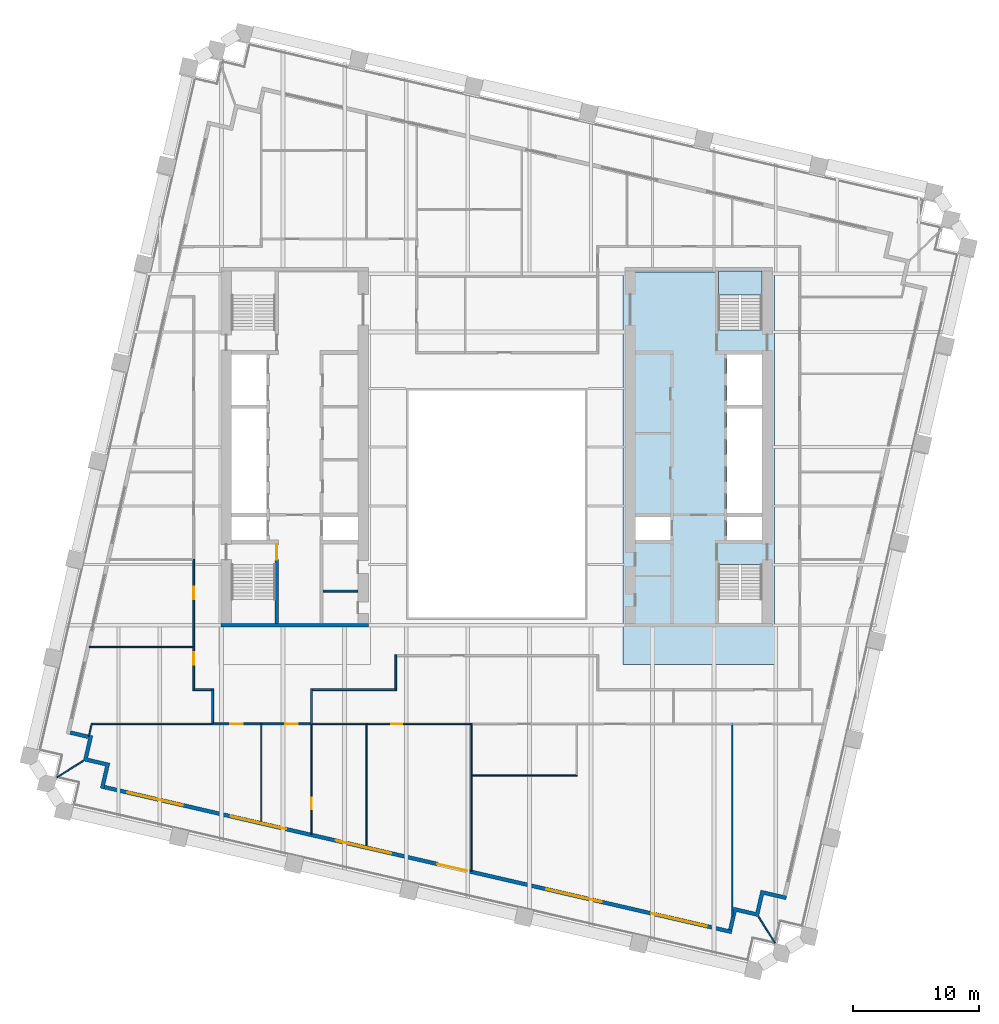
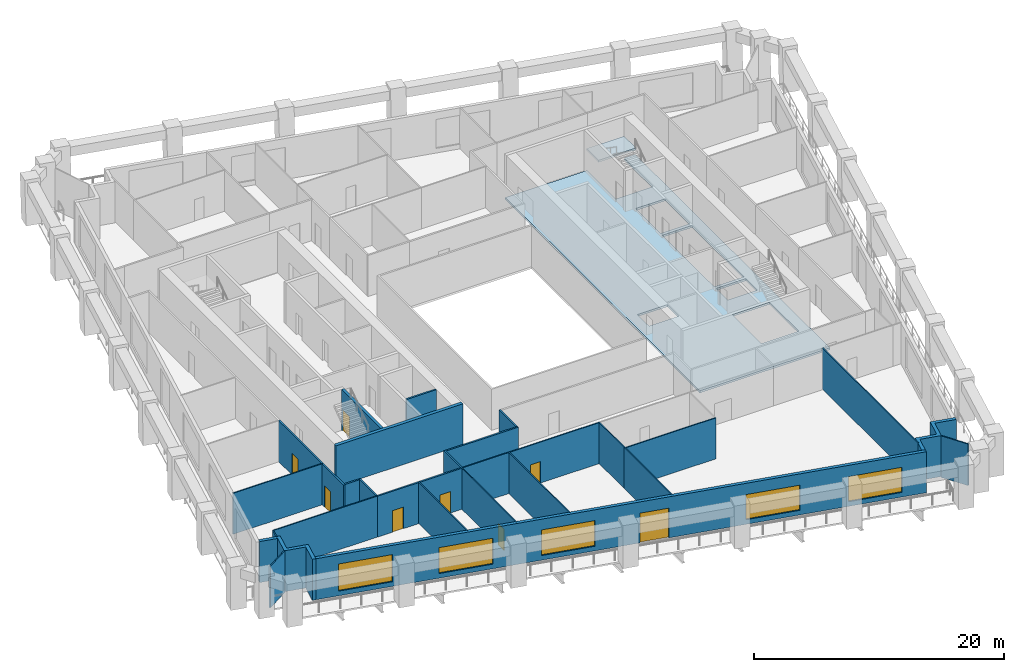
# One storey, part 3 of 10: 29 walls, 8 doors, 5 windows, 2 slabs, 13 openings, 1 element without a shape of its own.
"""IFC4 building model written with IfcOpenShell, lengths in metres."""

from ifc_helpers import new_model, si_unit, direction, frame, frame_2d, origin, place, context, subcontext, project, spatial, polyline, rectangle, outline, extrude, material, layer, layer_set, type_object, element, fill, aggregate, save


model = new_model("IFC4")

# Units and contexts
model_context = context("Model", 3, precision=1e-05, world=origin(), true_north=direction((0.0, 1.0)))
body_context = subcontext(model_context, "Body", "Model", "MODEL_VIEW")
ifc_project = project(units=[si_unit("LENGTHUNIT", "METRE"), si_unit("AREAUNIT", "SQUARE_METRE"), si_unit("VOLUMEUNIT", "CUBIC_METRE"), si_unit("PLANEANGLEUNIT", "RADIAN"), si_unit("MASSUNIT", "GRAM", prefix="KILO")], contexts=[model_context])

# Site, building, storey
site_placement = place(None, origin())
site = spatial("IfcSite", under=ifc_project, at=site_placement, CompositionType="ELEMENT")
building_placement = place(site_placement, origin())
building = spatial("IfcBuilding", under=site, at=building_placement, Name="Ogive Exchange Tower", CompositionType="ELEMENT")
storey_placement = place(building_placement, frame((0.0, 0.0, 114.0)))
storey = spatial("IfcBuildingStorey", under=building, at=storey_placement, Name="L24", CompositionType="ELEMENT", Elevation=114.0)

# Slab
ifc_material_1 = material(Name="Concrete C70/85", Category="concrete")
ifc_layer_1 = layer(ifc_material_1, 0.199951171875)
ifc_layer_set_1 = layer_set([ifc_layer_1], Name="Core floor slab 200")
slab_type_1 = type_object("IfcSlabType", Name="Core floor slab 200", PredefinedType="FLOOR", material=ifc_layer_set_1)
slab_1_placement = place(storey_placement, frame((0.0, 0.0, -0.199951171875)))
element("IfcSlab", 1, at=slab_1_placement, inside=storey, type_object=slab_type_1, Name="Core floor slab", PredefinedType="FLOOR", context=body_context, shape_type="SweptSolid", body=[
    extrude(outline(polyline([(22.0, 25.39990234375), (22.0, -5.699951171875), (10.0, -5.699951171875), (10.0, 25.39990234375), (17.550048828125, 25.39990234375), (17.550048828125, 20.803955078125), (21.0, 20.803955078125), (21.0, 25.39990234375), (22.0, 25.39990234375)]), holes=[polyline([(21.0, 2.196044921875), (17.550048828125, 2.196044921875), (17.550048828125, -2.449951171875), (21.0, -2.449951171875), (21.0, 2.196044921875)]), polyline([(13.75, 5.992919921875), (11.0, 5.992919921875), (11.0, 4.14990234375), (13.75, 4.14990234375), (13.75, 5.992919921875)]), polyline([(21.0, 5.992919921875), (18.25, 5.992919921875), (18.25, 4.14990234375), (21.0, 4.14990234375), (21.0, 5.992919921875)]), polyline([(18.25, 14.564208984375), (18.25, 6.29296875), (21.0, 6.29296875), (21.0, 14.564208984375), (18.25, 14.564208984375)]), polyline([(21.0, 18.85009765625), (18.25, 18.85009765625), (18.25, 14.8642578125), (21.0, 14.8642578125), (21.0, 18.85009765625)])]), origin(), (0.0, 0.0, 1.0), 0.199951171875),
])

# Stair, slab
ifc_material_2 = material(Name="Concrete C40/50", Category="concrete")
stair_type = type_object("IfcStairType", Name="Exit stair 1650 wide", PredefinedType="HALF_TURN_STAIR", material=ifc_material_2)
stair_placement = place(storey_placement, origin())
stair = element("IfcStair", 2, at=stair_placement, inside=storey, type_object=stair_type, Name="L24 exit stair ST4", PredefinedType="HALF_TURN_STAIR")
ifc_layer_2 = layer(ifc_material_2, 0.199951171875)
ifc_layer_set_2 = layer_set([ifc_layer_2], Name="Stair landing 200 slab")
slab_type_2 = type_object("IfcSlabType", Name="Stair landing 200 slab", PredefinedType="LANDING", material=ifc_layer_set_2)
slab_2_placement = place(storey_placement, frame((0.0, 0.0, 1.89990234375)))
slab_2 = element("IfcSlab", 3, at=slab_2_placement, type_object=slab_type_2, Name="ST4 landing 1", PredefinedType="LANDING", context=body_context, shape_type="SweptSolid", body=[
    extrude(outline(polyline([(21.0, 23.550048828125), (21.0, 25.449951171875), (17.550048828125, 25.449951171875), (17.550048828125, 23.550048828125), (21.0, 23.550048828125)])), origin(), (0.0, 0.0, 1.0), 0.2001953125),
])
aggregate(stair, [slab_2])

# Wall
ifc_material_3 = material(Name="Gypsum board partition")
ifc_layer_3 = layer(ifc_material_3, 0.14990234375)
ifc_layer_set_3 = layer_set([ifc_layer_3], Name="Core room partition 150 gypsum")
wall_type_1 = type_object("IfcWallType", Name="Core room partition 150 gypsum", PredefinedType="PARTITIONING", material=ifc_layer_set_3)
wall_1_placement = place(storey_placement, frame((-13.75, 0.10009765625, 0.0), z_axis=(0.0, 0.0, 1.0), x_axis=(1.0, 0.0, 0.0)))
element("IfcWall", 4, at=wall_1_placement, inside=storey, type_object=wall_type_1, Name="W south room partition", PredefinedType="PARTITIONING", context=body_context, shape_type="SweptSolid", body=[
    extrude(rectangle(XDim=2.75, YDim=0.14990234375, at=frame_2d((1.375, 0.0))), origin(), (0.0, 0.0, 1.0), 4.0),
])

# Wall, opening, door
ifc_material_4 = material(Name="Fire partition EI 60 150")
ifc_layer_4 = layer(ifc_material_4, 0.14990234375)
ifc_layer_set_4 = layer_set([ifc_layer_4], Name="Fire partition EI 60 150")
wall_type_2 = type_object("IfcWallType", Name="Fire partition EI 60 150", PredefinedType="PARTITIONING", material=ifc_layer_set_4)
wall_2_placement = place(storey_placement, frame((-24.0, -7.77490234375, 0.0), z_axis=(0.0, 0.0, 1.0), x_axis=(0.0, 1.0, 0.0)))
wall_2 = element("IfcWall", 5, at=wall_2_placement, inside=storey, type_object=wall_type_2, Name="L24-PWL-003", PredefinedType="PARTITIONING", context=body_context, shape_type="SweptSolid", body=[
    extrude(rectangle(XDim=3.454833984375, YDim=0.14990234375, at=frame_2d((1.7275390625, 0.0))), origin(), (0.0, 0.0, 1.0), 4.0),
])
opening_1_placement = place(wall_2_placement, frame((2.054931640625, 0.0, 0.0)))
opening_1 = element("IfcOpeningElement", 6, at=opening_1_placement, cuts=wall_2, Name="Opening L24-I21", PredefinedType="OPENING", context=body_context, shape_type="SweptSolid", body=[
    extrude(rectangle(XDim=1.0, YDim=2.10009765625, at=frame_2d((0.5, 1.050048828125))), frame((0.0, 0.0849609375, 0.0), z_axis=(0.0, -1.0, 0.0), x_axis=(1.0, 0.0, 0.0)), (0.0, 0.0, 1.0), 0.169921875),
])
ifc_material_5 = material(Name="Fire door FD 30S 1000 x 2100")
door_type_1 = type_object("IfcDoorType", Name="Fire door FD 30S 1000 x 2100", OperationType="NOTDEFINED", PredefinedType="DOOR", material=ifc_material_5)
door_1_placement = place(opening_1_placement, origin())
door_1 = element("IfcDoor", 7, at=door_1_placement, inside=storey, type_object=door_type_1, Name="L24-IDR-021", ObjectType="DT3", OperationType="SINGLE_SWING_LEFT", OverallHeight=2.10009765625, OverallWidth=1.0, PredefinedType="DOOR", context=body_context, shape_type="SweptSolid", body=[
    extrude(rectangle(XDim=1.0, YDim=2.10009765625, at=frame_2d((0.5, 1.050048828125))), frame((0.0, 0.02490234375, 0.0), z_axis=(0.0, -1.0, 0.0), x_axis=(1.0, 0.0, 0.0)), (0.0, 0.0, 1.0), 0.050048828125),
])
fill(opening_1, door_1)

wall_3_placement = place(storey_placement, frame((-24.0, -4.320068359375, 0.0), z_axis=(0.0, 0.0, 1.0), x_axis=(0.0, 1.0, 0.0)))
wall_3 = element("IfcWall", 8, at=wall_3_placement, inside=storey, type_object=wall_type_2, Name="L24-PWL-005", PredefinedType="PARTITIONING", context=body_context, shape_type="SweptSolid", body=[
    extrude(rectangle(XDim=6.93017578125, YDim=0.14990234375, at=frame_2d((3.465087890625, 0.0))), origin(), (0.0, 0.0, 1.0), 4.0),
])
opening_2_placement = place(wall_3_placement, frame((3.780029296875, 0.0, 0.0)))
opening_2 = element("IfcOpeningElement", 9, at=opening_2_placement, cuts=wall_3, Name="Opening L24-I20", PredefinedType="OPENING", context=body_context, shape_type="SweptSolid", body=[
    extrude(rectangle(XDim=1.0, YDim=2.10009765625, at=frame_2d((0.5, 1.050048828125))), frame((0.0, 0.0849609375, 0.0), z_axis=(0.0, -1.0, 0.0), x_axis=(1.0, 0.0, 0.0)), (0.0, 0.0, 1.0), 0.169921875),
])
door_2_placement = place(opening_2_placement, origin())
door_2 = element("IfcDoor", 10, at=door_2_placement, inside=storey, type_object=door_type_1, Name="L24-IDR-020", ObjectType="DT3", OperationType="SINGLE_SWING_LEFT", OverallHeight=2.10009765625, OverallWidth=1.0, PredefinedType="DOOR", context=body_context, shape_type="SweptSolid", body=[
    extrude(rectangle(XDim=1.0, YDim=2.10009765625, at=frame_2d((0.5, 1.050048828125))), frame((0.0, 0.02490234375, 0.0), z_axis=(0.0, -1.0, 0.0), x_axis=(1.0, 0.0, 0.0)), (0.0, 0.0, 1.0), 0.050048828125),
])
fill(opening_2, door_2)

# Walls
wall_4_placement = place(storey_placement, frame((-22.5, -10.360107421875, 0.0), z_axis=(0.0, 0.0, 1.0), x_axis=(0.0, 1.0, 0.0)))
element("IfcWall", 11, at=wall_4_placement, inside=storey, type_object=wall_type_2, Name="L24-PWL-013", PredefinedType="PARTITIONING", context=body_context, shape_type="SweptSolid", body=[
    extrude(rectangle(XDim=2.735107421875, YDim=0.14990234375, at=frame_2d((1.36767578125, 0.0))), origin(), (0.0, 0.0, 1.0), 4.0),
])
wall_5_placement = place(storey_placement, frame((-22.574951171875, -7.699951171875, 0.0), z_axis=(0.0, 0.0, 1.0), x_axis=(-1.0, 0.0, 0.0)))
element("IfcWall", 12, at=wall_5_placement, inside=storey, type_object=wall_type_2, Name="L24-PWL-014", PredefinedType="PARTITIONING", context=body_context, shape_type="SweptSolid", body=[
    extrude(rectangle(XDim=1.35009765625, YDim=0.14990234375, at=frame_2d((0.675048828125, 0.0))), origin(), (0.0, 0.0, 1.0), 4.0),
])

# Wall, opening, door
wall_6_placement = place(storey_placement, frame((-18.699951171875, -10.409912109375, 0.0), z_axis=(0.0, 0.0, 1.0), x_axis=(-1.0, 0.0, 0.0)))
wall_6 = element("IfcWall", 13, at=wall_6_placement, inside=storey, type_object=wall_type_2, Name="L24-PWL-016", PredefinedType="PARTITIONING", context=body_context, shape_type="SweptSolid", body=[
    extrude(rectangle(XDim=3.800048828125, YDim=0.14990234375, at=frame_2d((1.89990234375, 0.0))), origin(), (0.0, 0.0, 1.0), 4.0),
])
opening_3_placement = place(wall_6_placement, frame((1.39990234375, 0.0, 0.0)))
opening_3 = element("IfcOpeningElement", 14, at=opening_3_placement, cuts=wall_6, Name="Opening L24-I28", PredefinedType="OPENING", context=body_context, shape_type="SweptSolid", body=[
    extrude(rectangle(XDim=1.0, YDim=2.10009765625, at=frame_2d((0.5, 1.050048828125))), frame((0.0, 0.0849609375, 0.0), z_axis=(0.0, -1.0, 0.0), x_axis=(1.0, 0.0, 0.0)), (0.0, 0.0, 1.0), 0.169921875),
])
door_3_placement = place(opening_3_placement, origin())
door_3 = element("IfcDoor", 15, at=door_3_placement, inside=storey, type_object=door_type_1, Name="L24-IDR-028", ObjectType="DT3", OperationType="SINGLE_SWING_RIGHT", OverallHeight=2.10009765625, OverallWidth=1.0, PredefinedType="DOOR", context=body_context, shape_type="SweptSolid", body=[
    extrude(rectangle(XDim=1.0, YDim=2.10009765625, at=frame_2d((0.5, 1.050048828125))), frame((0.0, 0.02490234375, 0.0), z_axis=(0.0, -1.0, 0.0), x_axis=(1.0, 0.0, 0.0)), (0.0, 0.0, 1.0), 0.050048828125),
])
fill(opening_3, door_3)

wall_7_placement = place(storey_placement, frame((-14.719970703125, -10.409912109375, 0.0), z_axis=(0.0, 0.0, 1.0), x_axis=(-1.0, 0.0, 0.0)))
wall_7 = element("IfcWall", 16, at=wall_7_placement, inside=storey, type_object=wall_type_2, Name="L24-PWL-023", PredefinedType="PARTITIONING", context=body_context, shape_type="SweptSolid", body=[
    extrude(rectangle(XDim=3.880126953125, YDim=0.14990234375, at=frame_2d((1.93994140625, 0.0))), origin(), (0.0, 0.0, 1.0), 4.0),
])
opening_4_placement = place(wall_7_placement, frame((1.030029296875, 0.0, 0.0)))
opening_4 = element("IfcOpeningElement", 17, at=opening_4_placement, cuts=wall_7, Name="Opening L24-I27", PredefinedType="OPENING", context=body_context, shape_type="SweptSolid", body=[
    extrude(rectangle(XDim=1.0, YDim=2.10009765625, at=frame_2d((0.5, 1.050048828125))), frame((0.0, 0.0849609375, 0.0), z_axis=(0.0, -1.0, 0.0), x_axis=(1.0, 0.0, 0.0)), (0.0, 0.0, 1.0), 0.169921875),
])
door_4_placement = place(opening_4_placement, origin())
door_4 = element("IfcDoor", 18, at=door_4_placement, inside=storey, type_object=door_type_1, Name="L24-IDR-027", ObjectType="DT3", OperationType="SINGLE_SWING_RIGHT", OverallHeight=2.10009765625, OverallWidth=1.0, PredefinedType="DOOR", context=body_context, shape_type="SweptSolid", body=[
    extrude(rectangle(XDim=1.0, YDim=2.10009765625, at=frame_2d((0.5, 1.050048828125))), frame((0.0, 0.02490234375, 0.0), z_axis=(0.0, -1.0, 0.0), x_axis=(1.0, 0.0, 0.0)), (0.0, 0.0, 1.0), 0.050048828125),
])
fill(opening_4, door_4)

# Walls
wall_8_placement = place(storey_placement, frame((-14.669921875, -7.625, 0.0), z_axis=(0.0, 0.0, 1.0), x_axis=(0.0, -1.0, 0.0)))
element("IfcWall", 19, at=wall_8_placement, inside=storey, type_object=wall_type_2, Name="L24-PWL-024", PredefinedType="PARTITIONING", context=body_context, shape_type="SweptSolid", body=[
    extrude(rectangle(XDim=2.8349609375, YDim=0.14990234375, at=frame_2d((1.41748046875, 0.0))), origin(), (0.0, 0.0, 1.0), 4.0),
])
wall_9_placement = place(storey_placement, frame((-7.925048828125, -7.699951171875, 0.0), z_axis=(0.0, 0.0, 1.0), x_axis=(-1.0, 0.0, 0.0)))
element("IfcWall", 20, at=wall_9_placement, inside=storey, type_object=wall_type_2, Name="L24-PWL-030", PredefinedType="PARTITIONING", context=body_context, shape_type="SweptSolid", body=[
    extrude(rectangle(XDim=6.669921875, YDim=0.14990234375, at=frame_2d((3.3349609375, 0.0))), origin(), (0.0, 0.0, 1.0), 4.0),
])
wall_10_placement = place(storey_placement, frame((-8.0, -4.925048828125, 0.0), z_axis=(0.0, 0.0, 1.0), x_axis=(0.0, -1.0, 0.0)))
element("IfcWall", 21, at=wall_10_placement, inside=storey, type_object=wall_type_2, Name="L24-PWL-031", PredefinedType="PARTITIONING", context=body_context, shape_type="SweptSolid", body=[
    extrude(rectangle(XDim=2.699951171875, YDim=0.14990234375, at=frame_2d((1.35009765625, 0.0))), origin(), (0.0, 0.0, 1.0), 4.0),
])

# Wall, openings, door, windows
ifc_material_6 = material(Name="Precast concrete C40/50", Category="concrete")
ifc_layer_5 = layer(ifc_material_6, 0.300048828125)
ifc_layer_set_5 = layer_set([ifc_layer_5], Name="Limestone-faced wall 300")
wall_type_3 = type_object("IfcWallType", Name="Limestone-faced wall 300", PredefinedType="STANDARD", material=ifc_layer_set_5)
wall_11_placement = place(storey_placement, frame((-31.07763671875, -15.4208984375, 0.0), z_axis=(0.0, 0.0, 1.0), x_axis=(0.974370456532, -0.224949357493, 0.0)))
wall_11 = element("IfcWall", 22, at=wall_11_placement, inside=storey, type_object=wall_type_3, Name="External wall S1", PredefinedType="STANDARD", context=body_context, shape_type="SweptSolid", body=[
    extrude(rectangle(XDim=51.0, YDim=0.300048828125, at=frame_2d((25.5, 0.0))), origin(), (0.0, 0.0, 1.0), 4.0),
])
opening_5_placement = place(wall_11_placement, frame((1.875, 0.0, 0.449951171875)))
opening_5 = element("IfcOpeningElement", 23, at=opening_5_placement, cuts=wall_11, Name="Opening W1K", PredefinedType="OPENING", context=body_context, shape_type="SweptSolid", body=[
    extrude(rectangle(XDim=4.5, YDim=2.64990234375, at=frame_2d((2.25, 1.324951171875))), frame((0.0, 0.159912109375, 0.0), z_axis=(0.0, -1.0, 0.0), x_axis=(1.0, 0.0, 0.0)), (0.0, 0.0, 1.0), 0.320068359375),
])
opening_6_placement = place(wall_11_placement, frame((10.27490234375, 0.0, 0.449951171875)))
opening_6 = element("IfcOpeningElement", 24, at=opening_6_placement, cuts=wall_11, Name="Opening W1N", PredefinedType="OPENING", context=body_context, shape_type="SweptSolid", body=[
    extrude(rectangle(XDim=4.5, YDim=2.52490234375, at=frame_2d((2.25, 1.262451171875))), frame((0.0, 0.159912109375, 0.0), z_axis=(0.0, -1.0, 0.0), x_axis=(1.0, 0.0, 0.0)), (0.0, 0.0, 1.0), 0.320068359375),
])
opening_7_placement = place(wall_11_placement, frame((18.824951171875, 0.0, 0.449951171875)))
opening_7 = element("IfcOpeningElement", 25, at=opening_7_placement, cuts=wall_11, Name="Opening W1O", PredefinedType="OPENING", context=body_context, shape_type="SweptSolid", body=[
    extrude(rectangle(XDim=4.5, YDim=2.5, at=frame_2d((2.25, 1.25))), frame((0.0, 0.159912109375, 0.0), z_axis=(0.0, -1.0, 0.0), x_axis=(1.0, 0.0, 0.0)), (0.0, 0.0, 1.0), 0.320068359375),
])
opening_8_placement = place(wall_11_placement, frame((27.074951171875, 0.0, 0.0)))
opening_8 = element("IfcOpeningElement", 26, at=opening_8_placement, cuts=wall_11, Name="Opening D1P", PredefinedType="OPENING", context=body_context, shape_type="SweptSolid", body=[
    extrude(rectangle(XDim=2.39990234375, YDim=2.89990234375, at=frame_2d((1.199951171875, 1.449951171875))), frame((0.0, 0.159912109375, 0.0), z_axis=(0.0, -1.0, 0.0), x_axis=(1.0, 0.0, 0.0)), (0.0, 0.0, 1.0), 0.320068359375),
])
opening_9_placement = place(wall_11_placement, frame((35.925048828125, 0.0, 0.449951171875)))
opening_9 = element("IfcOpeningElement", 27, at=opening_9_placement, cuts=wall_11, Name="Opening W1Q", PredefinedType="OPENING", context=body_context, shape_type="SweptSolid", body=[
    extrude(rectangle(XDim=4.5, YDim=2.449951171875, at=frame_2d((2.25, 1.22509765625))), frame((0.0, 0.159912109375, 0.0), z_axis=(0.0, -1.0, 0.0), x_axis=(1.0, 0.0, 0.0)), (0.0, 0.0, 1.0), 0.320068359375),
])
opening_10_placement = place(wall_11_placement, frame((44.47509765625, 0.0, 0.449951171875)))
opening_10 = element("IfcOpeningElement", 28, at=opening_10_placement, cuts=wall_11, Name="Opening W1Q", PredefinedType="OPENING", context=body_context, shape_type="SweptSolid", body=[
    extrude(rectangle(XDim=4.5, YDim=2.449951171875, at=frame_2d((2.25, 1.22509765625))), frame((0.0, 0.159912109375, 0.0), z_axis=(0.0, -1.0, 0.0), x_axis=(1.0, 0.0, 0.0)), (0.0, 0.0, 1.0), 0.320068359375),
])
ifc_material_7 = material(Name="Clear glass in bronze frame", Category="glass")
door_type_2 = type_object("IfcDoorType", Name="Sliding loggia door 2400 x 2900", OperationType="DOUBLE_DOOR_SLIDING", PredefinedType="DOOR", material=ifc_material_7)
door_5_placement = place(opening_8_placement, origin())
door_5 = element("IfcDoor", 29, at=door_5_placement, inside=storey, type_object=door_type_2, Name="Loggia door S03", OperationType="DOUBLE_DOOR_SLIDING", OverallHeight=2.89990234375, OverallWidth=2.39990234375, PredefinedType="DOOR", context=body_context, shape_type="SweptSolid", body=[
    extrude(rectangle(XDim=2.39990234375, YDim=2.89990234375, at=frame_2d((1.199951171875, 1.449951171875))), frame((0.0, 0.02490234375, 0.0), z_axis=(0.0, -1.0, 0.0), x_axis=(1.0, 0.0, 0.0)), (0.0, 0.0, 1.0), 0.050048828125),
])
fill(opening_8, door_5)
window_type_1 = type_object("IfcWindowType", Name="Twin lancet window 4500 x 2450", PartitioningType="DOUBLE_PANEL_VERTICAL", PredefinedType="WINDOW", material=ifc_material_7)
window_1_placement = place(opening_9_placement, origin())
window_1 = element("IfcWindow", 30, at=window_1_placement, inside=storey, type_object=window_type_1, Name="Window S04", OverallHeight=2.449951171875, OverallWidth=4.5, PartitioningType="DOUBLE_PANEL_VERTICAL", PredefinedType="WINDOW", context=body_context, shape_type="SweptSolid", body=[
    extrude(rectangle(XDim=4.5, YDim=2.449951171875, at=frame_2d((2.25, 1.22509765625))), frame((0.0, 0.030029296875, 0.0), z_axis=(0.0, -1.0, 0.0), x_axis=(1.0, 0.0, 0.0)), (0.0, 0.0, 1.0), 0.06005859375),
])
fill(opening_9, window_1)
window_2_placement = place(opening_10_placement, origin())
window_2 = element("IfcWindow", 31, at=window_2_placement, inside=storey, type_object=window_type_1, Name="Window S05", OverallHeight=2.449951171875, OverallWidth=4.5, PartitioningType="DOUBLE_PANEL_VERTICAL", PredefinedType="WINDOW", context=body_context, shape_type="SweptSolid", body=[
    extrude(rectangle(XDim=4.5, YDim=2.449951171875, at=frame_2d((2.25, 1.22509765625))), frame((0.0, 0.030029296875, 0.0), z_axis=(0.0, -1.0, 0.0), x_axis=(1.0, 0.0, 0.0)), (0.0, 0.0, 1.0), 0.06005859375),
])
fill(opening_10, window_2)
window_type_2 = type_object("IfcWindowType", Name="Twin lancet window 4500 x 2500", PartitioningType="DOUBLE_PANEL_VERTICAL", PredefinedType="WINDOW", material=ifc_material_7)
window_3_placement = place(opening_7_placement, origin())
window_3 = element("IfcWindow", 32, at=window_3_placement, inside=storey, type_object=window_type_2, Name="Window S02", OverallHeight=2.5, OverallWidth=4.5, PartitioningType="DOUBLE_PANEL_VERTICAL", PredefinedType="WINDOW", context=body_context, shape_type="SweptSolid", body=[
    extrude(rectangle(XDim=4.5, YDim=2.5, at=frame_2d((2.25, 1.25))), frame((0.0, 0.030029296875, 0.0), z_axis=(0.0, -1.0, 0.0), x_axis=(1.0, 0.0, 0.0)), (0.0, 0.0, 1.0), 0.06005859375),
])
fill(opening_7, window_3)
window_type_3 = type_object("IfcWindowType", Name="Twin lancet window 4500 x 2525", PartitioningType="DOUBLE_PANEL_VERTICAL", PredefinedType="WINDOW", material=ifc_material_7)
window_4_placement = place(opening_6_placement, origin())
window_4 = element("IfcWindow", 33, at=window_4_placement, inside=storey, type_object=window_type_3, Name="Window S01", OverallHeight=2.52490234375, OverallWidth=4.5, PartitioningType="DOUBLE_PANEL_VERTICAL", PredefinedType="WINDOW", context=body_context, shape_type="SweptSolid", body=[
    extrude(rectangle(XDim=4.5, YDim=2.52490234375, at=frame_2d((2.25, 1.262451171875))), frame((0.0, 0.030029296875, 0.0), z_axis=(0.0, -1.0, 0.0), x_axis=(1.0, 0.0, 0.0)), (0.0, 0.0, 1.0), 0.06005859375),
])
fill(opening_6, window_4)
window_type_4 = type_object("IfcWindowType", Name="Twin lancet window 4500 x 2650", PartitioningType="DOUBLE_PANEL_VERTICAL", PredefinedType="WINDOW", material=ifc_material_7)
window_5_placement = place(opening_5_placement, origin())
window_5 = element("IfcWindow", 34, at=window_5_placement, inside=storey, type_object=window_type_4, Name="Window S00", OverallHeight=2.64990234375, OverallWidth=4.5, PartitioningType="DOUBLE_PANEL_VERTICAL", PredefinedType="WINDOW", context=body_context, shape_type="SweptSolid", body=[
    extrude(rectangle(XDim=4.5, YDim=2.64990234375, at=frame_2d((2.25, 1.324951171875))), frame((0.0, 0.030029296875, 0.0), z_axis=(0.0, -1.0, 0.0), x_axis=(1.0, 0.0, 0.0)), (0.0, 0.0, 1.0), 0.06005859375),
])
fill(opening_5, window_5)

# Walls
wall_12_placement = place(storey_placement, origin())
element("IfcWall", 35, at=wall_12_placement, inside=storey, type_object=wall_type_3, Name="External corner wall C1", PredefinedType="STANDARD", context=body_context, shape_type="SweptSolid", body=[
    extrude(outline(polyline([(20.515380859375, -25.330810546875), (20.92041015625, -23.576904296875), (22.966552734375, -24.04931640625), (22.89892578125, -24.341552734375), (21.145263671875, -23.936767578125), (20.740234375, -25.690673828125), (18.986328125, -25.28564453125), (18.64892578125, -26.747314453125), (18.356689453125, -26.6796875), (18.76171875, -24.92578125), (20.515380859375, -25.330810546875)])), origin(), (0.0, 0.0, 1.0), 4.0),
])
wall_13_placement = place(storey_placement, origin())
element("IfcWall", 36, at=wall_13_placement, inside=storey, type_object=wall_type_3, Name="External corner wall C4", PredefinedType="STANDARD", context=body_context, shape_type="SweptSolid", body=[
    extrude(outline(polyline([(-32.392822265625, -13.115966796875), (-30.638916015625, -13.52099609375), (-31.111328125, -15.56689453125), (-31.40380859375, -15.49951171875), (-30.998779296875, -13.74560546875), (-32.752685546875, -13.3408203125), (-32.34765625, -11.5869140625), (-33.809326171875, -11.24951171875), (-33.74169921875, -10.957275390625), (-31.98779296875, -11.362060546875), (-32.392822265625, -13.115966796875)])), origin(), (0.0, 0.0, 1.0), 4.0),
])
ifc_material_8 = material(Name="Laminated safety glass in steel frame", Category="steel")
ifc_layer_6 = layer(ifc_material_8, 0.10009765625)
ifc_layer_set_6 = layer_set([ifc_layer_6], Name="Loggia end screen 100")
wall_type_4 = type_object("IfcWallType", Name="Loggia end screen 100", PredefinedType="STANDARD", material=ifc_layer_set_6)
for number, where, z_axis, x_axis, name in (
    (37, (20.740234375, -25.690673828125, -0.050048828125), (0.0, 0.0, 1.0), (0.529972121605, -0.848015064914, 0.0), "Loggia end screen C1"),
    (38, (-32.752685546875, -13.3408203125, -0.050048828125), (0.0, 0.0, 1.0), (-0.848059759764, -0.529900598103, 0.0), "Loggia end screen C4"),
):
    element("IfcWall", number, at=place(storey_placement, frame(where, z_axis=z_axis, x_axis=x_axis)), inside=storey, type_object=wall_type_4, Name=name, PredefinedType="STANDARD", context=body_context, shape_type="SweptSolid", body=[
        extrude(rectangle(XDim=2.454833984375, YDim=0.10009765625, at=frame_2d((1.2275390625, 0.0))), origin(), (0.0, 0.0, 1.0), 4.050048828125),
    ])
ifc_material_9 = material(Name="Partition 100 gypsum")
ifc_layer_7 = layer(ifc_material_9, 0.10009765625)
ifc_layer_set_7 = layer_set([ifc_layer_7], Name="Partition 100 gypsum")
wall_type_5 = type_object("IfcWallType", Name="Partition 100 gypsum", PredefinedType="PARTITIONING", material=ifc_layer_set_7)
wall_14_placement = place(storey_placement, frame((-32.069091796875, -10.361083984375, 0.0), z_axis=(0.0, 0.0, 1.0), x_axis=(-0.222987762652, -0.974821243976, 0.0)))
element("IfcWall", 39, at=wall_14_placement, inside=storey, type_object=wall_type_5, Name="L24-PWL-001", PredefinedType="PARTITIONING", context=body_context, shape_type="SweptSolid", body=[
    extrude(rectangle(XDim=1.0576171875, YDim=0.10009765625, at=frame_2d((0.52880859375, 0.0))), origin(), (0.0, 0.0, 1.0), 4.0),
])
wall_15_placement = place(storey_placement, frame((-24.074951171875, -4.320068359375, 0.0), z_axis=(0.0, 0.0, 1.0), x_axis=(-1.0, 0.0, 0.0)))
element("IfcWall", 40, at=wall_15_placement, inside=storey, type_object=wall_type_5, Name="L24-PWL-004", PredefinedType="PARTITIONING", context=body_context, shape_type="SweptSolid", body=[
    extrude(rectangle(XDim=8.217041015625, YDim=0.10009765625, at=frame_2d((4.1083984375, 0.0))), origin(), (0.0, 0.0, 1.0), 4.0),
])
wall_16_placement = place(storey_placement, frame((-22.5, -10.409912109375, 0.0), z_axis=(0.0, 0.0, 1.0), x_axis=(-1.0, 0.0, 0.0)))
element("IfcWall", 41, at=wall_16_placement, inside=storey, type_object=wall_type_5, Name="L24-PWL-012", PredefinedType="PARTITIONING", context=body_context, shape_type="SweptSolid", body=[
    extrude(rectangle(XDim=9.530029296875, YDim=0.10009765625, at=frame_2d((4.76513671875, 0.0))), origin(), (0.0, 0.0, 1.0), 4.0),
])
wall_17_placement = place(storey_placement, frame((-18.64990234375, -18.218994140625, 0.0), z_axis=(0.0, 0.0, 1.0), x_axis=(0.0, 1.0, 0.0)))
element("IfcWall", 42, at=wall_17_placement, inside=storey, type_object=wall_type_5, Name="L24-PWL-015", PredefinedType="PARTITIONING", context=body_context, shape_type="SweptSolid", body=[
    extrude(rectangle(XDim=7.884033203125, YDim=0.10009765625, at=frame_2d((3.94189453125, 0.0))), origin(), (0.0, 0.0, 1.0), 4.0),
])

# Wall, opening, door
wall_18_placement = place(storey_placement, frame((-14.669921875, -19.137939453125, 0.0), z_axis=(0.0, 0.0, 1.0), x_axis=(0.0, 1.0, 0.0)))
wall_18 = element("IfcWall", 43, at=wall_18_placement, inside=storey, type_object=wall_type_5, Name="L24-PWL-022", PredefinedType="PARTITIONING", context=body_context, shape_type="SweptSolid", body=[
    extrude(rectangle(XDim=8.677978515625, YDim=0.10009765625, at=frame_2d((4.3388671875, 0.0))), origin(), (0.0, 0.0, 1.0), 4.0),
])
opening_11_placement = place(wall_18_placement, frame((1.97802734375, 0.0, 0.0)))
opening_11 = element("IfcOpeningElement", 44, at=opening_11_placement, cuts=wall_18, Name="Opening L24-I26", PredefinedType="OPENING", context=body_context, shape_type="SweptSolid", body=[
    extrude(rectangle(XDim=0.89990234375, YDim=2.10009765625, at=frame_2d((0.449951171875, 1.050048828125))), frame((0.0, 0.06005859375, 0.0), z_axis=(0.0, -1.0, 0.0), x_axis=(1.0, 0.0, 0.0)), (0.0, 0.0, 1.0), 0.1201171875),
])
ifc_material_10 = material(Name="Door 900 x 2100")
door_type_3 = type_object("IfcDoorType", Name="Door 900 x 2100", OperationType="NOTDEFINED", PredefinedType="DOOR", material=ifc_material_10)
door_6_placement = place(opening_11_placement, origin())
door_6 = element("IfcDoor", 45, at=door_6_placement, inside=storey, type_object=door_type_3, Name="L24-IDR-026", ObjectType="DT1", OperationType="SINGLE_SWING_RIGHT", OverallHeight=2.10009765625, OverallWidth=0.89990234375, PredefinedType="DOOR", context=body_context, shape_type="SweptSolid", body=[
    extrude(rectangle(XDim=0.89990234375, YDim=2.10009765625, at=frame_2d((0.449951171875, 1.050048828125))), frame((0.0, 0.02490234375, 0.0), z_axis=(0.0, -1.0, 0.0), x_axis=(1.0, 0.0, 0.0)), (0.0, 0.0, 1.0), 0.050048828125),
])
fill(opening_11, door_6)

# Walls
wall_19_placement = place(storey_placement, frame((-10.320068359375, -20.14208984375, 0.0), z_axis=(0.0, 0.0, 1.0), x_axis=(0.0, 1.0, 0.0)))
element("IfcWall", 46, at=wall_19_placement, inside=storey, type_object=wall_type_5, Name="L24-PWL-025", PredefinedType="PARTITIONING", context=body_context, shape_type="SweptSolid", body=[
    extrude(rectangle(XDim=9.781982421875, YDim=0.10009765625, at=frame_2d((4.89111328125, 0.0))), origin(), (0.0, 0.0, 1.0), 4.0),
])
wall_20_placement = place(storey_placement, frame((-10.3701171875, -10.409912109375, 0.0), z_axis=(0.0, 0.0, 1.0), x_axis=(-1.0, 0.0, 0.0)))
element("IfcWall", 47, at=wall_20_placement, inside=storey, type_object=wall_type_5, Name="L24-PWL-026", PredefinedType="PARTITIONING", context=body_context, shape_type="SweptSolid", body=[
    extrude(rectangle(XDim=4.25, YDim=0.10009765625, at=frame_2d((2.125, 0.0))), origin(), (0.0, 0.0, 1.0), 4.0),
])
wall_21_placement = place(storey_placement, frame((-1.989990234375, -22.06494140625, 0.0), z_axis=(0.0, 0.0, 1.0), x_axis=(0.0, 1.0, 0.0)))
element("IfcWall", 48, at=wall_21_placement, inside=storey, type_object=wall_type_5, Name="L24-PWL-042", PredefinedType="PARTITIONING", context=body_context, shape_type="SweptSolid", body=[
    extrude(rectangle(XDim=7.614990234375, YDim=0.10009765625, at=frame_2d((3.8076171875, 0.0))), origin(), (0.0, 0.0, 1.0), 4.0),
])
wall_22_placement = place(storey_placement, frame((-1.989990234375, -14.449951171875, 0.0), z_axis=(0.0, 0.0, 1.0), x_axis=(0.0, 1.0, 0.0)))
element("IfcWall", 49, at=wall_22_placement, inside=storey, type_object=wall_type_5, Name="L24-PWL-043", PredefinedType="PARTITIONING", context=body_context, shape_type="SweptSolid", body=[
    extrude(rectangle(XDim=4.08984375, YDim=0.10009765625, at=frame_2d((2.044921875, 0.0))), origin(), (0.0, 0.0, 1.0), 4.0),
])
wall_23_placement = place(storey_placement, frame((-1.93994140625, -14.5, 0.0), z_axis=(0.0, 0.0, 1.0), x_axis=(1.0, 0.0, 0.0)))
element("IfcWall", 50, at=wall_23_placement, inside=storey, type_object=wall_type_5, Name="L24-PWL-044", PredefinedType="PARTITIONING", context=body_context, shape_type="SweptSolid", body=[
    extrude(rectangle(XDim=8.329833984375, YDim=0.10009765625, at=frame_2d((4.1650390625, 0.0))), origin(), (0.0, 0.0, 1.0), 4.0),
])

# Wall, opening, door
wall_24_placement = place(storey_placement, frame((-2.0400390625, -10.409912109375, 0.0), z_axis=(0.0, 0.0, 1.0), x_axis=(-1.0, 0.0, 0.0)))
wall_24 = element("IfcWall", 51, at=wall_24_placement, inside=storey, type_object=wall_type_5, Name="L24-PWL-045", PredefinedType="PARTITIONING", context=body_context, shape_type="SweptSolid", body=[
    extrude(rectangle(XDim=8.22998046875, YDim=0.10009765625, at=frame_2d((4.114990234375, 0.0))), origin(), (0.0, 0.0, 1.0), 4.0),
])
opening_12_placement = place(wall_24_placement, frame((5.429931640625, 0.0, 0.0)))
opening_12 = element("IfcOpeningElement", 52, at=opening_12_placement, cuts=wall_24, Name="Opening L24-I25", PredefinedType="OPENING", context=body_context, shape_type="SweptSolid", body=[
    extrude(rectangle(XDim=0.89990234375, YDim=2.10009765625, at=frame_2d((0.449951171875, 1.050048828125))), frame((0.0, 0.06005859375, 0.0), z_axis=(0.0, -1.0, 0.0), x_axis=(1.0, 0.0, 0.0)), (0.0, 0.0, 1.0), 0.1201171875),
])
door_7_placement = place(opening_12_placement, origin())
door_7 = element("IfcDoor", 53, at=door_7_placement, inside=storey, type_object=door_type_3, Name="L24-IDR-025", ObjectType="DT1", OperationType="SINGLE_SWING_LEFT", OverallHeight=2.10009765625, OverallWidth=0.89990234375, PredefinedType="DOOR", context=body_context, shape_type="SweptSolid", body=[
    extrude(rectangle(XDim=0.89990234375, YDim=2.10009765625, at=frame_2d((0.449951171875, 1.050048828125))), frame((0.0, 0.02490234375, 0.0), z_axis=(0.0, -1.0, 0.0), x_axis=(1.0, 0.0, 0.0)), (0.0, 0.0, 1.0), 0.050048828125),
])
fill(opening_12, door_7)

# Wall
wall_25_placement = place(storey_placement, frame((18.64990234375, -25.654052734375, 0.0), z_axis=(0.0, 0.0, 1.0), x_axis=(0.0, 1.0, 0.0)))
element("IfcWall", 54, at=wall_25_placement, inside=storey, type_object=wall_type_5, Name="L24-PWL-061", PredefinedType="PARTITIONING", context=body_context, shape_type="SweptSolid", body=[
    extrude(rectangle(XDim=15.2939453125, YDim=0.10009765625, at=frame_2d((7.64697265625, 0.0))), origin(), (0.0, 0.0, 1.0), 4.0),
])

# Wall, opening, door
ifc_layer_8 = layer(ifc_material_1, 0.25)
ifc_layer_set_8 = layer_set([ifc_layer_8], Name="RC core wall 250 C70/85")
wall_type_6 = type_object("IfcWallType", Name="RC core wall 250 C70/85", PredefinedType="SHEAR", material=ifc_layer_set_8)
wall_26_placement = place(storey_placement, frame((-17.425048828125, -2.449951171875, 0.0), z_axis=(0.0, 0.0, 1.0), x_axis=(0.0, 1.0, 0.0)))
wall_26 = element("IfcWall", 55, at=wall_26_placement, inside=storey, type_object=wall_type_6, Name="W stair S front wall", PredefinedType="SHEAR", context=body_context, shape_type="SweptSolid", body=[
    extrude(rectangle(XDim=6.300048828125, YDim=0.25, at=frame_2d((3.14990234375, 0.0))), origin(), (0.0, 0.0, 1.0), 4.0),
])
opening_13_placement = place(wall_26_placement, frame((5.050048828125, 0.0, 0.0)))
opening_13 = element("IfcOpeningElement", 56, at=opening_13_placement, cuts=wall_26, Name="Opening L24-C14", PredefinedType="OPENING", context=body_context, shape_type="SweptSolid", body=[
    extrude(rectangle(XDim=1.199951171875, YDim=2.10009765625, at=frame_2d((0.60009765625, 1.050048828125))), frame((0.0, 0.135009765625, 0.0), z_axis=(0.0, -1.0, 0.0), x_axis=(1.0, 0.0, 0.0)), (0.0, 0.0, 1.0), 0.27001953125),
])
ifc_material_11 = material(Name="Steel fire door", Category="steel")
door_type_4 = type_object("IfcDoorType", Name="Stair door FD90 1200 x 2100", OperationType="NOTDEFINED", PredefinedType="DOOR", material=ifc_material_11)
door_8_placement = place(opening_13_placement, origin())
door_8 = element("IfcDoor", 57, at=door_8_placement, inside=storey, type_object=door_type_4, Name="Stair door", ObjectType="CD5", OperationType="SINGLE_SWING_LEFT", OverallHeight=2.10009765625, OverallWidth=1.199951171875, PredefinedType="DOOR", context=body_context, shape_type="SweptSolid", body=[
    extrude(rectangle(XDim=1.199951171875, YDim=2.10009765625, at=frame_2d((0.60009765625, 1.050048828125))), frame((0.0, 0.02490234375, 0.0), z_axis=(0.0, -1.0, 0.0), x_axis=(1.0, 0.0, 0.0)), (0.0, 0.0, 1.0), 0.050048828125),
])
fill(opening_13, door_8)

# Wall
ifc_layer_9 = layer(ifc_material_1, 0.300048828125)
ifc_layer_set_9 = layer_set([ifc_layer_9], Name="RC core wall 300 C70/85")
wall_type_7 = type_object("IfcWallType", Name="RC core wall 300 C70/85", PredefinedType="SHEAR", material=ifc_layer_set_9)
wall_27_placement = place(storey_placement, frame((-21.85009765625, -2.60009765625, 0.0), z_axis=(0.0, 0.0, 1.0), x_axis=(1.0, 0.0, 0.0)))
element("IfcWall", 58, at=wall_27_placement, inside=storey, type_object=wall_type_7, Name="W south end wall", PredefinedType="SHEAR", context=body_context, shape_type="SweptSolid", body=[
    extrude(rectangle(XDim=11.7001953125, YDim=0.300048828125, at=frame_2d((5.85009765625, 0.0))), origin(), (0.0, 0.0, 1.0), 4.0),
])

save(model, "model.ifc")
